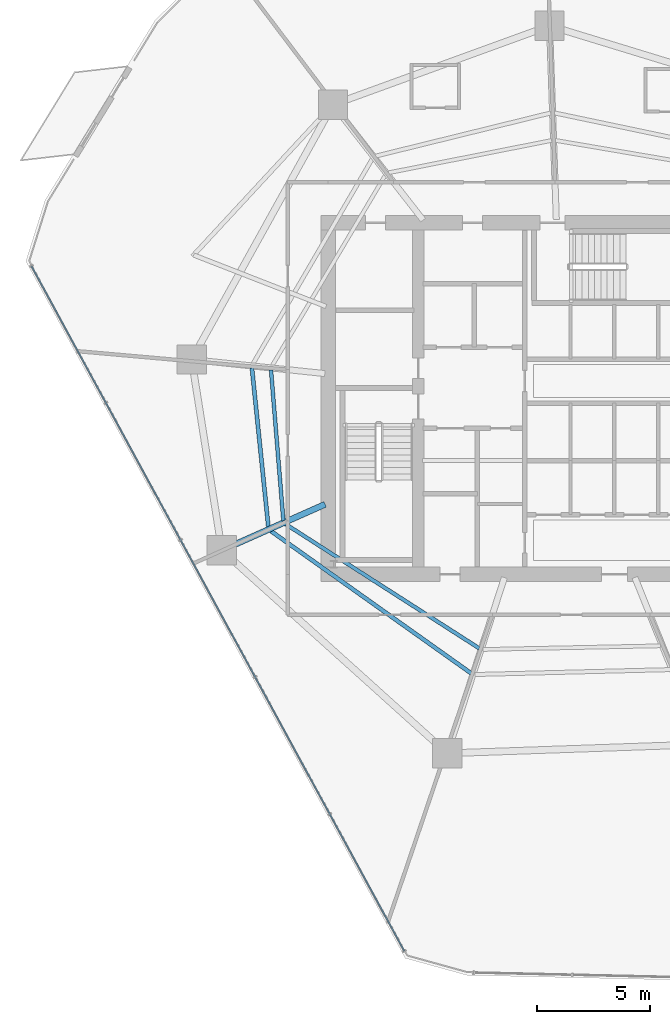
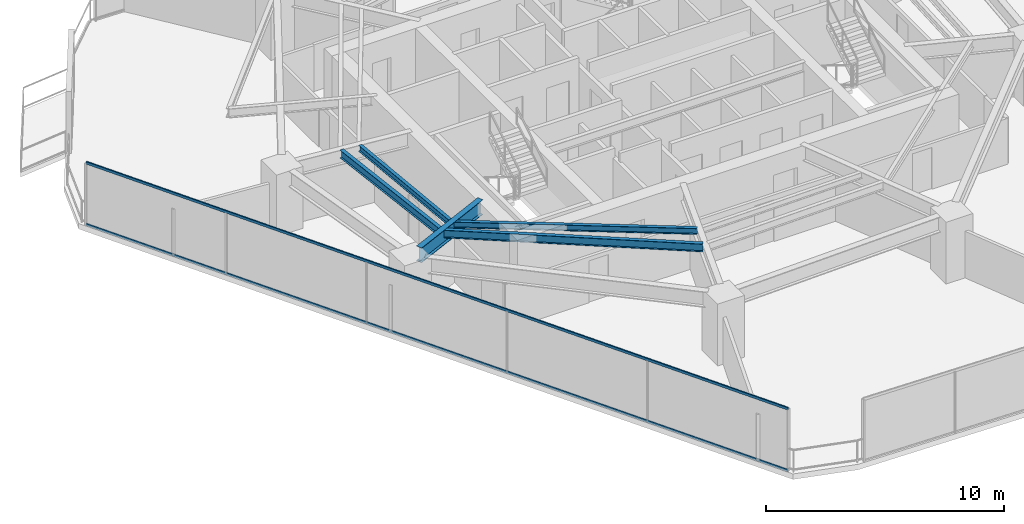
# One storey, part 8 of 30: 5 beams, 2 members, 1 element without a shape of its own.
"""IFC4 building model written with IfcOpenShell, lengths in metres."""

from ifc_helpers import new_model, si_unit, direction, frame, origin, origin_2d, place, context, subcontext, project, spatial, hollow_rectangle, i_section, extrude, material, layer, layer_set, material_profile, profile_set, type_object, element, aggregate, save


model = new_model("IFC4")

# Units and contexts
model_context = context("Model", 3, precision=1e-05, world=origin(), true_north=direction((0.0, 1.0)))
body_context = subcontext(model_context, "Body", "Model", "MODEL_VIEW")
ifc_project = project(units=[si_unit("LENGTHUNIT", "METRE"), si_unit("AREAUNIT", "SQUARE_METRE"), si_unit("VOLUMEUNIT", "CUBIC_METRE"), si_unit("PLANEANGLEUNIT", "RADIAN"), si_unit("MASSUNIT", "GRAM", prefix="KILO")], contexts=[model_context])

# Site, building, storey
site_placement = place(None, origin())
site = spatial("IfcSite", under=ifc_project, at=site_placement, CompositionType="ELEMENT")
building_placement = place(site_placement, origin())
building = spatial("IfcBuilding", under=site, at=building_placement, Name="Qarnah Convention Tower", CompositionType="ELEMENT")
storey_placement = place(building_placement, frame((0.0, 0.0, 61.5)))
storey = spatial("IfcBuildingStorey", under=building, at=storey_placement, Name="L15", CompositionType="ELEMENT", Elevation=61.5)

# Beams
ifc_material_1 = material(Name="Structural steel S355JR", Category="steel")
ifc_material_profile_1 = material_profile(ifc_material_1, i_section(OverallWidth=0.166015625, OverallDepth=0.31201171875, WebThickness=0.007080078125, FlangeThickness=0.010986328125, at=origin_2d()), Name="W310X45")
ifc_profile_set_1 = profile_set([ifc_material_profile_1], Name="Structural steel S355JR")
beam_type_1 = type_object("IfcBeamType", Name="BM-JST-W310", PredefinedType="JOIST", material=ifc_profile_set_1)
beam_1_placement = place(storey_placement, frame((24.261962890625, 27.6708984375, 3.013916015625), z_axis=(0.081763689087, -0.996651744165, 0.0), x_axis=(0.996651744165, 0.081763689087, 0.0)))
element("IfcBeam", 1, at=beam_1_placement, inside=storey, type_object=beam_type_1, Name="L15 joist BM-L15-IJST-05", PredefinedType="JOIST", context=body_context, shape_type="SweptSolid", body=[
    extrude(i_section(OverallWidth=0.166015625, OverallDepth=0.31201171875, WebThickness=0.007080078125, FlangeThickness=0.010986328125, at=origin_2d()), origin(), (0.0, 0.0, 1.0), 6.71533203125),
])
beam_2_placement = place(storey_placement, frame((24.89404296875, 20.839111328125, 3.013916015625), z_axis=(0.841675053613, -0.539984355445, 0.0), x_axis=(0.539984355445, 0.841675053613, 0.0)))
element("IfcBeam", 2, at=beam_2_placement, inside=storey, type_object=beam_type_1, Name="L15 joist BM-L15-IJST-06", PredefinedType="JOIST", context=body_context, shape_type="SweptSolid", body=[
    extrude(i_section(OverallWidth=0.166015625, OverallDepth=0.31201171875, WebThickness=0.007080078125, FlangeThickness=0.010986328125, at=origin_2d()), origin(), (0.0, 0.0, 1.0), 10.23193359375),
])
ifc_material_profile_2 = material_profile(ifc_material_1, i_section(OverallWidth=0.177978515625, OverallDepth=0.407958984375, WebThickness=0.008056640625, FlangeThickness=0.012939453125, at=origin_2d()), Name="W410X60")
ifc_profile_set_2 = profile_set([ifc_material_profile_2], Name="Structural steel S355JR")
beam_type_2 = type_object("IfcBeamType", Name="BM-JST-W410", PredefinedType="JOIST", material=ifc_profile_set_2)
beam_3_placement = place(storey_placement, frame((23.416015625, 27.760009765625, 2.966064453125), z_axis=(0.10287690675, -0.994694094713, 0.0), x_axis=(0.994694094713, 0.10287690675, 0.0)))
element("IfcBeam", 3, at=beam_3_placement, inside=storey, type_object=beam_type_2, Name="L15 joist BM-L15-SJST-05", PredefinedType="JOIST", context=body_context, shape_type="SweptSolid", body=[
    extrude(i_section(OverallWidth=0.177978515625, OverallDepth=0.407958984375, WebThickness=0.008056640625, FlangeThickness=0.012939453125, at=origin_2d()), origin(), (0.0, 0.0, 1.0), 7.11474609375),
])
beam_4_placement = place(storey_placement, frame((24.22998046875, 20.541015625, 2.966064453125), z_axis=(0.815244739249, -0.579116581637, 0.0), x_axis=(0.579116581637, 0.815244739249, 0.0)))
element("IfcBeam", 4, at=beam_4_placement, inside=storey, type_object=beam_type_2, Name="L15 joist BM-L15-SJST-06", PredefinedType="JOIST", context=body_context, shape_type="SweptSolid", body=[
    extrude(i_section(OverallWidth=0.177978515625, OverallDepth=0.407958984375, WebThickness=0.008056640625, FlangeThickness=0.012939453125, at=origin_2d()), origin(), (0.0, 0.0, 1.0), 10.93896484375),
])
ifc_material_profile_3 = material_profile(ifc_material_1, i_section(OverallWidth=0.26806640625, OverallDepth=0.760009765625, WebThickness=0.014892578125, FlangeThickness=0.02197265625, at=origin_2d()), Name="W760X185")
ifc_profile_set_3 = profile_set([ifc_material_profile_3], Name="Structural steel S355JR")
beam_type_3 = type_object("IfcBeamType", Name="BM-RAD-W760", PredefinedType="BEAM", material=ifc_profile_set_3)
beam_5_placement = place(storey_placement, frame((26.6630859375, 21.708984375, 2.7900390625), z_axis=(-0.913519753242, -0.406794371195, 0.0), x_axis=(0.406794371195, -0.913519753242, 0.0)))
element("IfcBeam", 5, at=beam_5_placement, inside=storey, type_object=beam_type_3, Name="L15 beam BM-L15-RAD-06", PredefinedType="BEAM", context=body_context, shape_type="SweptSolid", body=[
    extrude(i_section(OverallWidth=0.26806640625, OverallDepth=0.760009765625, WebThickness=0.014892578125, FlangeThickness=0.02197265625, at=origin_2d()), origin(), (0.0, 0.0, 1.0), 4.38525390625),
])

# Curtain wall, members
ifc_material_2 = material(Name="Tempered Low-E dark glass", Category="glass")
ifc_layer = layer(ifc_material_2, 0.16796875)
ifc_layer_set = layer_set([ifc_layer], Name="Tempered Low-E dark glass")
curtain_wall_type = type_object("IfcCurtainWallType", Name="CWS-01", PredefinedType="NOTDEFINED", material=ifc_layer_set)
curtain_wall_placement = place(storey_placement, origin())
curtain_wall = element("IfcCurtainWall", 6, at=curtain_wall_placement, inside=storey, type_object=curtain_wall_type, Name="L15 unitised curtain wall CW-L15-F3", PredefinedType="NOTDEFINED")
ifc_material_3 = material(Name="Black anodised aluminium", Category="aluminium")
ifc_material_profile_4 = material_profile(ifc_material_3, hollow_rectangle(XDim=0.06005859375, YDim=0.1298828125, WallThickness=0.00390625, at=origin_2d()), Name="TRN-60X130")
ifc_profile_set_4 = profile_set([ifc_material_profile_4], Name="Black anodised aluminium")
member_type = type_object("IfcMemberType", Name="TRN-T1", PredefinedType="USERDEFINED", material=ifc_profile_set_4)
member_1_placement = place(storey_placement, frame((30.177978515625, 1.886962890625, 0.0), z_axis=(-0.478065122951, 0.878324392362, 0.0), x_axis=(-0.878324392362, -0.478065122951, 0.0)))
member_1 = element("IfcMember", 7, at=member_1_placement, type_object=member_type, Name="CW-L15-F3 transom 1", ObjectType="TRANSOM", PredefinedType="USERDEFINED", context=body_context, shape_type="SweptSolid", body=[
    extrude(hollow_rectangle(XDim=0.06005859375, YDim=0.1298828125, WallThickness=0.00390625, at=origin_2d()), origin(), (0.0, 0.0, 1.0), 34.610107421875),
])
member_2_placement = place(storey_placement, frame((30.177978515625, 1.886962890625, 3.169921875), z_axis=(-0.478065122951, 0.878324392362, 0.0), x_axis=(-0.878324392362, -0.478065122951, 0.0)))
member_2 = element("IfcMember", 8, at=member_2_placement, type_object=member_type, Name="CW-L15-F3 transom 2", ObjectType="TRANSOM", PredefinedType="USERDEFINED", context=body_context, shape_type="SweptSolid", body=[
    extrude(hollow_rectangle(XDim=0.06005859375, YDim=0.1298828125, WallThickness=0.00390625, at=origin_2d()), origin(), (0.0, 0.0, 1.0), 34.610107421875),
])
aggregate(curtain_wall, [member_1, member_2])

save(model, "model.ifc")
